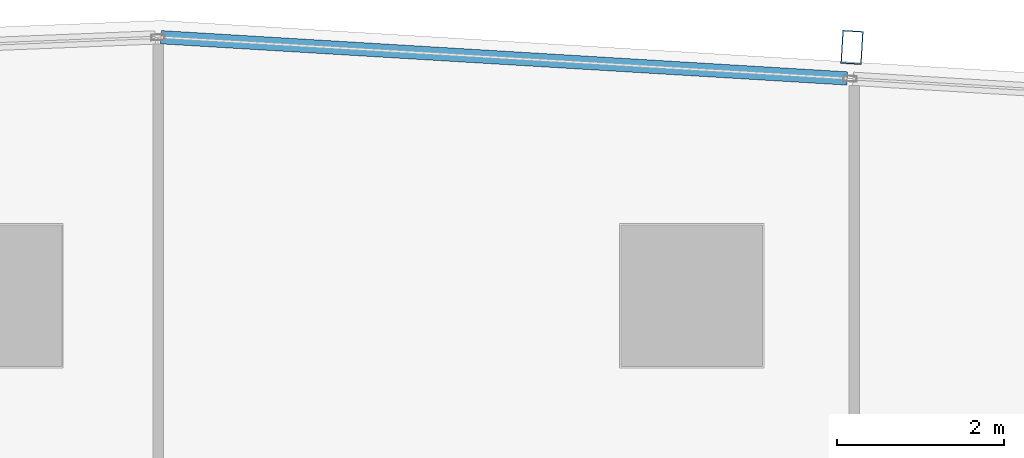
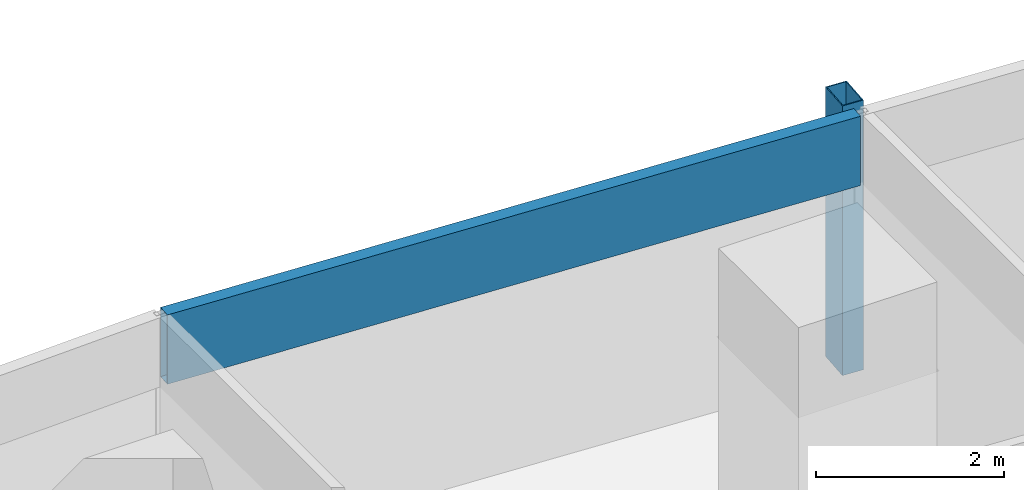
# One storey, part 24 of 40: 2 members, 1 element without a shape of its own.
"""IFC4 building model written with IfcOpenShell, lengths in metres."""

from ifc_helpers import new_model, si_unit, direction, frame, origin, origin_2d, place, context, subcontext, project, spatial, hollow_rectangle, extrude, material, material_profile, profile_set, type_object, element, aggregate, save


model = new_model("IFC4")

# Units and contexts
model_context = context("Model", 3, precision=1e-05, world=origin(), true_north=direction((0.0, 1.0)))
body_context = subcontext(model_context, "Body", "Model", "MODEL_VIEW")
ifc_project = project(units=[si_unit("LENGTHUNIT", "METRE"), si_unit("AREAUNIT", "SQUARE_METRE"), si_unit("VOLUMEUNIT", "CUBIC_METRE"), si_unit("PLANEANGLEUNIT", "RADIAN"), si_unit("MASSUNIT", "GRAM", prefix="KILO")], contexts=[model_context])

# Site, building, storey
site_placement = place(None, origin())
site = spatial("IfcSite", under=ifc_project, at=site_placement, CompositionType="ELEMENT")
building_placement = place(site_placement, origin())
building = spatial("IfcBuilding", under=site, at=building_placement, Name="Rekha Terrace Tower", CompositionType="ELEMENT")
storey_placement = place(building_placement, frame((0.0, 0.0, 99.050048828125)))
storey = spatial("IfcBuildingStorey", under=building, at=storey_placement, Name="L24", CompositionType="ELEMENT", Elevation=99.050048828125)

# Curtain wall, members
ifc_material_1 = material(Name="Aluminium framing", Category="aluminium")
curtain_wall_type = type_object("IfcCurtainWallType", Name="CW3 north unitised glazing", PredefinedType="USERDEFINED", material=ifc_material_1)
curtain_wall_placement = place(storey_placement, origin())
curtain_wall = element("IfcCurtainWall", 1, at=curtain_wall_placement, inside=storey, type_object=curtain_wall_type, Name="CW3 unitised curtain wall", ObjectType="UNITISED CURTAIN WALL", PredefinedType="USERDEFINED")
ifc_material_2 = material(Name="Steel S355 with fluorocarbon finish", Category="steel")
ifc_material_profile_1 = material_profile(ifc_material_2, hollow_rectangle(XDim=0.25, YDim=0.39990234375, WallThickness=0.012451171875, at=origin_2d()), Name="RHS400x250x12.5")
ifc_profile_set_1 = profile_set([ifc_material_profile_1], Name="Steel S355 with fluorocarbon finish")
member_type_1 = type_object("IfcMemberType", Name="BL1 facade blade RHS 400 x 250", PredefinedType="USERDEFINED", material=ifc_profile_set_1)
member_1_placement = place(storey_placement, frame((52.322265625, 61.777587890625, 0.0), z_axis=(0.0, 0.0, 1.0), x_axis=(-0.998199123409, 0.059987582268, 0.0)))
member_1 = element("IfcMember", 2, at=member_1_placement, type_object=member_type_1, Name="Facade blade", ObjectType="FACADE BLADE", PredefinedType="USERDEFINED", context=body_context, shape_type="SweptSolid", body=[
    extrude(hollow_rectangle(XDim=0.25, YDim=0.39990234375, WallThickness=0.012451171875, at=origin_2d()), origin(), (0.0, 0.0, 1.0), 3.5),
])
ifc_material_3 = material(Name="Insulated aluminium spandrel box", Category="aluminium")
ifc_material_profile_2 = material_profile(ifc_material_3, hollow_rectangle(XDim=0.159912109375, YDim=0.89990234375, WallThickness=0.0029296875, at=origin_2d()), Name="AL SPANDREL BOX 160x900")
ifc_profile_set_2 = profile_set([ifc_material_profile_2], Name="Insulated aluminium spandrel box")
member_type_2 = type_object("IfcMemberType", Name="CW3 spandrel transom 160 x 900", PredefinedType="USERDEFINED", material=ifc_profile_set_2)
member_2_placement = place(storey_placement, frame((52.2646484375, 61.4052734375, 3.050048828125), z_axis=(-0.998199102701, 0.059987926845, 0.0), x_axis=(-0.059987926845, -0.998199102701, 0.0)))
member_2 = element("IfcMember", 3, at=member_2_placement, type_object=member_type_2, Name="CW3 spandrel transom 3", ObjectType="TRANSOM", PredefinedType="USERDEFINED", context=body_context, shape_type="SweptSolid", body=[
    extrude(hollow_rectangle(XDim=0.159912109375, YDim=0.89990234375, WallThickness=0.0029296875, at=origin_2d()), origin(), (0.0, 0.0, 1.0), 8.241455078125),
])
aggregate(curtain_wall, [member_2, member_1])

save(model, "model.ifc")
